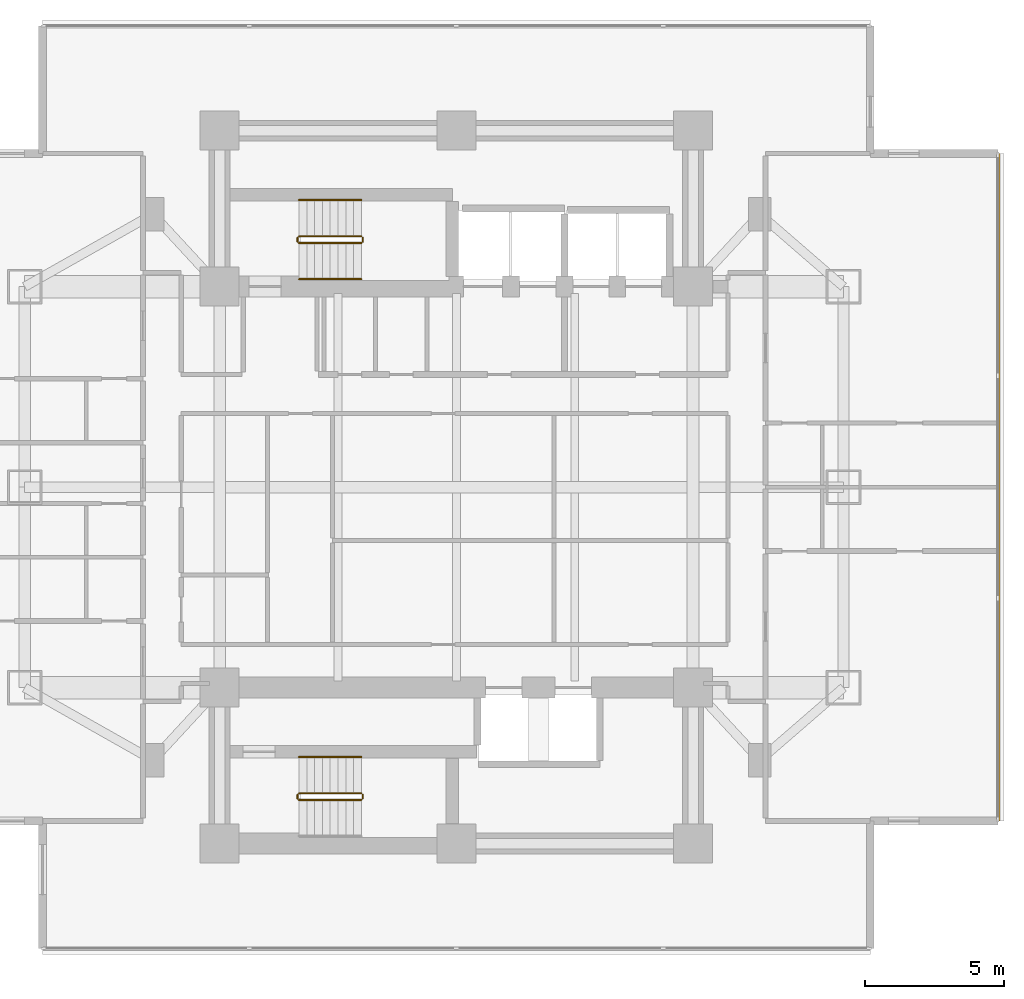
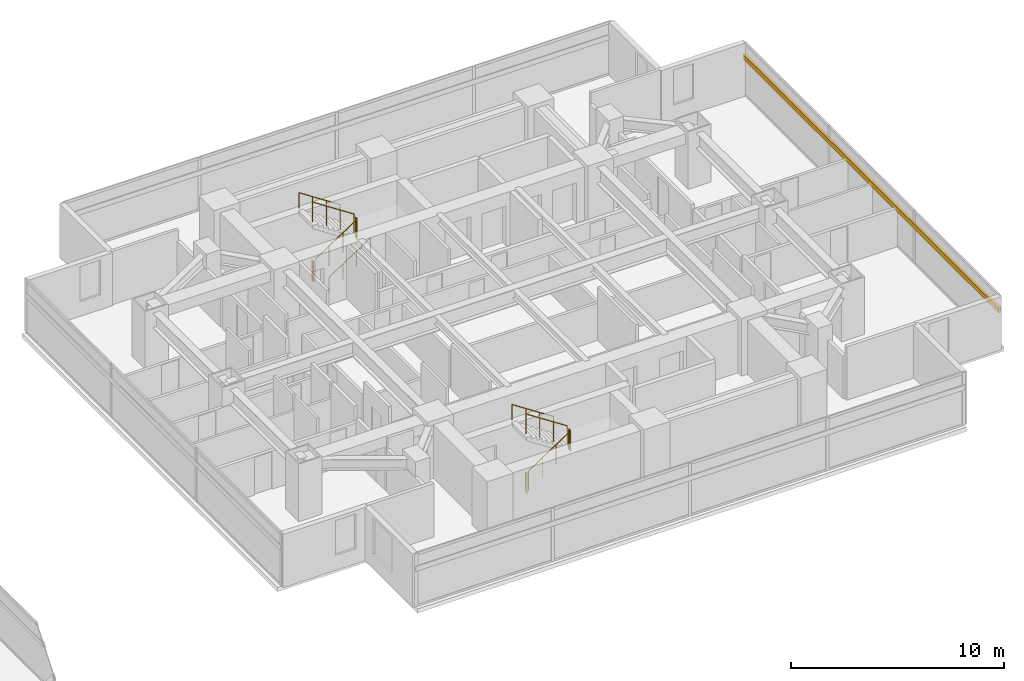
# One storey, part 25 of 26: 11 railings, 1 shading device.
"""IFC4 building model written with IfcOpenShell, lengths in metres."""

from ifc_helpers import new_model, si_unit, direction, frame, origin, origin_2d, place, context, subcontext, project, spatial, rectangle, circle, extrude, material, material_profile, profile_set, type_object, element, save


model = new_model("IFC4")

# Units and contexts
model_context = context("Model", 3, precision=1e-05, world=origin(), true_north=direction((0.0, 1.0)))
body_context = subcontext(model_context, "Body", "Model", "MODEL_VIEW")
ifc_project = project(units=[si_unit("LENGTHUNIT", "METRE"), si_unit("AREAUNIT", "SQUARE_METRE"), si_unit("VOLUMEUNIT", "CUBIC_METRE"), si_unit("PLANEANGLEUNIT", "RADIAN"), si_unit("MASSUNIT", "GRAM", prefix="KILO")], contexts=[model_context])

# Site, building, storey
site_placement = place(None, origin())
site = spatial("IfcSite", under=ifc_project, at=site_placement, CompositionType="ELEMENT")
building_placement = place(site_placement, origin())
building = spatial("IfcBuilding", under=site, at=building_placement, Name="Mirazonda Arch Towers", CompositionType="ELEMENT")
storey_placement = place(building_placement, frame((0.0, 0.0, 45.5)))
storey = spatial("IfcBuildingStorey", under=building, at=storey_placement, Name="L12", CompositionType="ELEMENT", Elevation=45.5)

# Shading device
ifc_material_1 = material(Name="Kiln-Fired Architectural Terracotta", Category="masonry")
ifc_material_profile = material_profile(ifc_material_1, rectangle(XDim=0.139892578125, YDim=0.280029296875, at=origin_2d()), Name="TERRA-BAG-140x280")
ifc_profile_set = profile_set([ifc_material_profile], Name="Kiln-Fired Architectural Terracotta")
shading_device_type = type_object("IfcShadingDeviceType", Name="BAGUETTE-3", PredefinedType="USERDEFINED", material=ifc_profile_set)
shading_device_placement = place(storey_placement, frame((95.946044921875, 16.016845703125, 2.188720703125), z_axis=(0.0, 1.0, 0.0), x_axis=(-1.0, 0.0, 0.0)))
element("IfcShadingDevice", 1, at=shading_device_placement, inside=storey, type_object=shading_device_type, Name="L12 Glazed Terracotta Sun-Screen Baguette CW-L12-T2-E", ObjectType="BAGUETTE", PredefinedType="USERDEFINED", context=body_context, shape_type="SweptSolid", body=[
    extrude(rectangle(XDim=0.139892578125, YDim=0.280029296875, at=origin_2d()), origin(), (0.0, 0.0, 1.0), 23.96630859375),
])

# Railings
ifc_material_2 = material(Name="Architectural Brushed Steel S355", Category="steel")
railing_type_1 = type_object("IfcRailingType", Name="GUARD-STAIR-1120", PredefinedType="GUARDRAIL", material=ifc_material_2)
railing_1_placement = place(storey_placement, frame((70.85009765625, 36.77001953125, 0.183349609375)))
element("IfcRailing", 2, at=railing_1_placement, inside=storey, type_object=railing_type_1, Name="L12 ST-T2N stair guard 1", PredefinedType="GUARDRAIL", context=body_context, shape_type="SweptSolid", body=[
    extrude(circle(Radius=0.02392578125, at=origin_2d()), frame((0.0, 0.0, 1.1259765625), z_axis=(0.836636935527, 0.0, 0.547757827979), x_axis=(0.0, 1.0, 0.0)), (0.0, 0.0, 1.0), 2.677490234375),
    extrude(circle(Radius=0.02099609375, at=origin_2d()), origin(), (0.0, 0.0, 1.0), 1.101806640625),
    extrude(circle(Radius=0.02099609375, at=origin_2d()), frame((0.74658203125, 0.0, 0.48876953125)), (0.0, 0.0, 1.0), 1.101806640625),
    extrude(circle(Radius=0.02099609375, at=origin_2d()), frame((1.493408203125, 0.0, 0.977783203125)), (0.0, 0.0, 1.0), 1.101806640625),
    extrude(circle(Radius=0.02099609375, at=origin_2d()), frame((2.239990234375, 0.0, 1.466552734375)), (0.0, 0.0, 1.0), 1.101806640625),
])
railing_2_placement = place(storey_placement, frame((73.139892578125, 36.820068359375, 1.64990234375)))
element("IfcRailing", 3, at=railing_2_placement, inside=storey, type_object=railing_type_1, Name="L12 ST-T2N stair guard 2", PredefinedType="GUARDRAIL", context=body_context, shape_type="SweptSolid", body=[
    extrude(circle(Radius=0.02392578125, at=origin_2d()), frame((0.0, 0.0, 1.1259765625), z_axis=(0.0, 1.0, 0.0), x_axis=(-1.0, 0.0, 0.0)), (0.0, 0.0, 1.0), 0.139892578125),
    extrude(circle(Radius=0.02099609375, at=origin_2d()), origin(), (0.0, 0.0, 1.0), 1.101806640625),
    extrude(circle(Radius=0.02099609375, at=origin_2d()), frame((0.0, 0.139892578125, 0.0)), (0.0, 0.0, 1.0), 1.101806640625),
])
railing_3_placement = place(storey_placement, frame((73.090087890625, 37.010009765625, 1.833251953125)))
element("IfcRailing", 4, at=railing_3_placement, inside=storey, type_object=railing_type_1, Name="L12 ST-T2N stair guard 3", PredefinedType="GUARDRAIL", context=body_context, shape_type="SweptSolid", body=[
    extrude(circle(Radius=0.02392578125, at=origin_2d()), frame((0.0, 0.0, 1.1259765625), z_axis=(-0.836595146698, 0.0, 0.547821650285), x_axis=(0.0, -1.0, 0.0)), (0.0, 0.0, 1.0), 2.677490234375),
    extrude(circle(Radius=0.02099609375, at=origin_2d()), origin(), (0.0, 0.0, 1.0), 1.101806640625),
    extrude(circle(Radius=0.02099609375, at=origin_2d()), frame((-0.74658203125, 0.0, 0.489013671875)), (0.0, 0.0, 1.0), 1.101806640625),
    extrude(circle(Radius=0.02099609375, at=origin_2d()), frame((-1.493408203125, 0.0, 0.977783203125)), (0.0, 0.0, 1.0), 1.101806640625),
    extrude(circle(Radius=0.02099609375, at=origin_2d()), frame((-2.239990234375, 0.0, 1.466796875)), (0.0, 0.0, 1.0), 1.101806640625),
])
railing_4_placement = place(storey_placement, frame((70.800048828125, 36.820068359375, 0.0)))
element("IfcRailing", 5, at=railing_4_placement, inside=storey, type_object=railing_type_1, Name="L12 ST-T2N stair guard 4", PredefinedType="GUARDRAIL", context=body_context, shape_type="SweptSolid", body=[
    extrude(circle(Radius=0.02392578125, at=origin_2d()), frame((0.0, 0.0, 1.1259765625), z_axis=(0.0, 1.0, 0.0), x_axis=(-1.0, 0.0, 0.0)), (0.0, 0.0, 1.0), 0.139892578125),
    extrude(circle(Radius=0.02099609375, at=origin_2d()), origin(), (0.0, 0.0, 1.0), 1.101806640625),
    extrude(circle(Radius=0.02099609375, at=origin_2d()), frame((0.0, 0.139892578125, 0.0)), (0.0, 0.0, 1.0), 1.101806640625),
])
railing_5_placement = place(storey_placement, frame((70.85009765625, 16.77001953125, 0.183349609375)))
element("IfcRailing", 6, at=railing_5_placement, inside=storey, type_object=railing_type_1, Name="L12 ST-T2S stair guard 1", PredefinedType="GUARDRAIL", context=body_context, shape_type="SweptSolid", body=[
    extrude(circle(Radius=0.02392578125, at=origin_2d()), frame((0.0, 0.0, 1.1259765625), z_axis=(0.836636935527, 0.0, 0.547757827979), x_axis=(0.0, 1.0, 0.0)), (0.0, 0.0, 1.0), 2.677490234375),
    extrude(circle(Radius=0.02099609375, at=origin_2d()), origin(), (0.0, 0.0, 1.0), 1.101806640625),
    extrude(circle(Radius=0.02099609375, at=origin_2d()), frame((0.74658203125, 0.0, 0.48876953125)), (0.0, 0.0, 1.0), 1.101806640625),
    extrude(circle(Radius=0.02099609375, at=origin_2d()), frame((1.493408203125, 0.0, 0.977783203125)), (0.0, 0.0, 1.0), 1.101806640625),
    extrude(circle(Radius=0.02099609375, at=origin_2d()), frame((2.239990234375, 0.0, 1.466552734375)), (0.0, 0.0, 1.0), 1.101806640625),
])
railing_6_placement = place(storey_placement, frame((73.139892578125, 16.820068359375, 1.64990234375)))
element("IfcRailing", 7, at=railing_6_placement, inside=storey, type_object=railing_type_1, Name="L12 ST-T2S stair guard 2", PredefinedType="GUARDRAIL", context=body_context, shape_type="SweptSolid", body=[
    extrude(circle(Radius=0.02392578125, at=origin_2d()), frame((0.0, 0.0, 1.1259765625), z_axis=(0.0, 1.0, 0.0), x_axis=(-1.0, 0.0, 0.0)), (0.0, 0.0, 1.0), 0.139892578125),
    extrude(circle(Radius=0.02099609375, at=origin_2d()), origin(), (0.0, 0.0, 1.0), 1.101806640625),
    extrude(circle(Radius=0.02099609375, at=origin_2d()), frame((0.0, 0.139892578125, 0.0)), (0.0, 0.0, 1.0), 1.101806640625),
])
railing_7_placement = place(storey_placement, frame((73.090087890625, 17.010009765625, 1.833251953125)))
element("IfcRailing", 8, at=railing_7_placement, inside=storey, type_object=railing_type_1, Name="L12 ST-T2S stair guard 3", PredefinedType="GUARDRAIL", context=body_context, shape_type="SweptSolid", body=[
    extrude(circle(Radius=0.02392578125, at=origin_2d()), frame((0.0, 0.0, 1.1259765625), z_axis=(-0.836595146698, 0.0, 0.547821650285), x_axis=(0.0, -1.0, 0.0)), (0.0, 0.0, 1.0), 2.677490234375),
    extrude(circle(Radius=0.02099609375, at=origin_2d()), origin(), (0.0, 0.0, 1.0), 1.101806640625),
    extrude(circle(Radius=0.02099609375, at=origin_2d()), frame((-0.74658203125, 0.0, 0.489013671875)), (0.0, 0.0, 1.0), 1.101806640625),
    extrude(circle(Radius=0.02099609375, at=origin_2d()), frame((-1.493408203125, 0.0, 0.977783203125)), (0.0, 0.0, 1.0), 1.101806640625),
    extrude(circle(Radius=0.02099609375, at=origin_2d()), frame((-2.239990234375, 0.0, 1.466796875)), (0.0, 0.0, 1.0), 1.101806640625),
])
railing_8_placement = place(storey_placement, frame((70.800048828125, 16.820068359375, 0.0)))
element("IfcRailing", 9, at=railing_8_placement, inside=storey, type_object=railing_type_1, Name="L12 ST-T2S stair guard 4", PredefinedType="GUARDRAIL", context=body_context, shape_type="SweptSolid", body=[
    extrude(circle(Radius=0.02392578125, at=origin_2d()), frame((0.0, 0.0, 1.1259765625), z_axis=(0.0, 1.0, 0.0), x_axis=(-1.0, 0.0, 0.0)), (0.0, 0.0, 1.0), 0.139892578125),
    extrude(circle(Radius=0.02099609375, at=origin_2d()), origin(), (0.0, 0.0, 1.0), 1.101806640625),
    extrude(circle(Radius=0.02099609375, at=origin_2d()), frame((0.0, 0.139892578125, 0.0)), (0.0, 0.0, 1.0), 1.101806640625),
])
railing_type_2 = type_object("IfcRailingType", Name="HANDRAIL-915", PredefinedType="HANDRAIL", material=ifc_material_2)
railing_9_placement = place(storey_placement, frame((70.85009765625, 35.469970703125, 0.183349609375)))
element("IfcRailing", 10, at=railing_9_placement, inside=storey, type_object=railing_type_2, Name="L12 ST-T2N stair handrail 1", PredefinedType="HANDRAIL", context=body_context, shape_type="SweptSolid", body=[
    extrude(circle(Radius=0.02392578125, at=origin_2d()), frame((0.0, 0.0, 0.8759765625), z_axis=(0.836636935527, 0.0, 0.547757827979), x_axis=(0.0, 1.0, 0.0)), (0.0, 0.0, 1.0), 2.677490234375),
    extrude(circle(Radius=0.02099609375, at=origin_2d()), origin(), (0.0, 0.0, 1.0), 0.851806640625),
    extrude(circle(Radius=0.02099609375, at=origin_2d()), frame((0.74658203125, 0.0, 0.48876953125)), (0.0, 0.0, 1.0), 0.851806640625),
    extrude(circle(Radius=0.02099609375, at=origin_2d()), frame((1.493408203125, 0.0, 0.977783203125)), (0.0, 0.0, 1.0), 0.851806640625),
    extrude(circle(Radius=0.02099609375, at=origin_2d()), frame((2.239990234375, 0.0, 1.466552734375)), (0.0, 0.0, 1.0), 0.851806640625),
])
for number, where, name in (
    (11, (73.090087890625, 38.31005859375, 1.833251953125), "L12 ST-T2N stair handrail 2"),
    (12, (73.090087890625, 18.31005859375, 1.833251953125), "L12 ST-T2S stair handrail 2"),
):
    element("IfcRailing", number, at=place(storey_placement, frame(where)), inside=storey, type_object=railing_type_2, Name=name, PredefinedType="HANDRAIL", context=body_context, shape_type="SweptSolid", body=[
        extrude(circle(Radius=0.02392578125, at=origin_2d()), frame((0.0, 0.0, 0.8759765625), z_axis=(-0.836595146698, 0.0, 0.547821650285), x_axis=(0.0, -1.0, 0.0)), (0.0, 0.0, 1.0), 2.677490234375),
        extrude(circle(Radius=0.02099609375, at=origin_2d()), origin(), (0.0, 0.0, 1.0), 0.851806640625),
        extrude(circle(Radius=0.02099609375, at=origin_2d()), frame((-0.74658203125, 0.0, 0.489013671875)), (0.0, 0.0, 1.0), 0.851806640625),
        extrude(circle(Radius=0.02099609375, at=origin_2d()), frame((-1.493408203125, 0.0, 0.977783203125)), (0.0, 0.0, 1.0), 0.851806640625),
        extrude(circle(Radius=0.02099609375, at=origin_2d()), frame((-2.239990234375, 0.0, 1.466796875)), (0.0, 0.0, 1.0), 0.851806640625),
    ])

save(model, "model.ifc")
